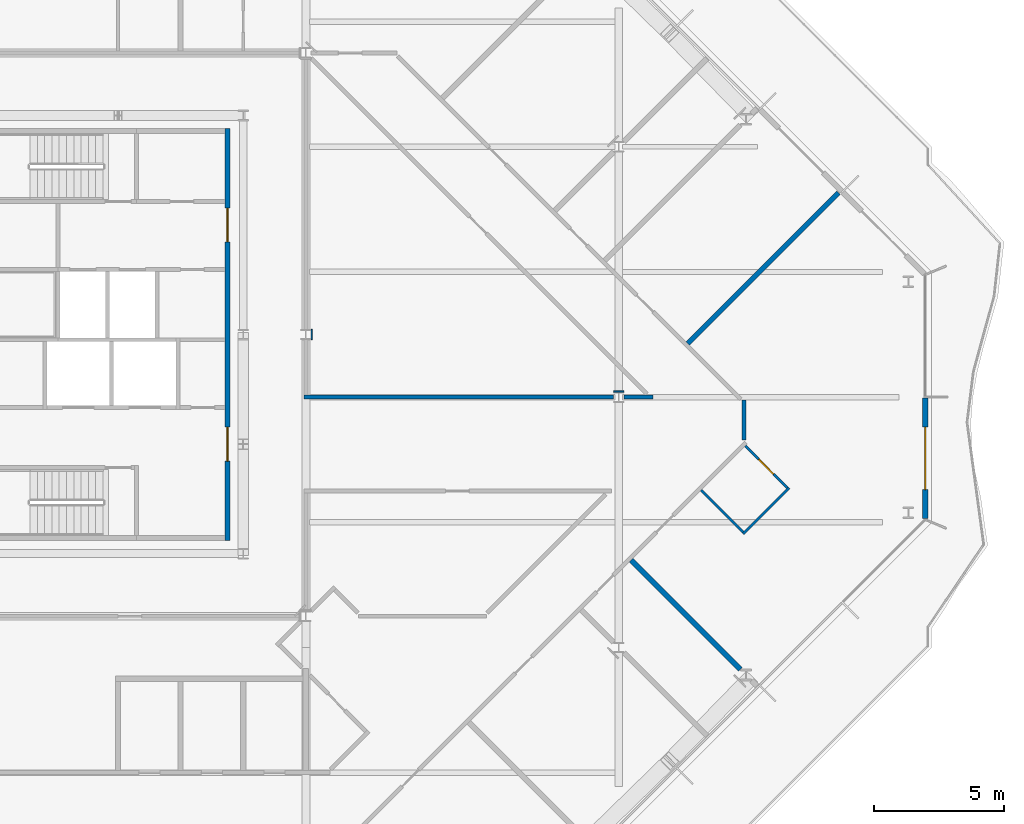
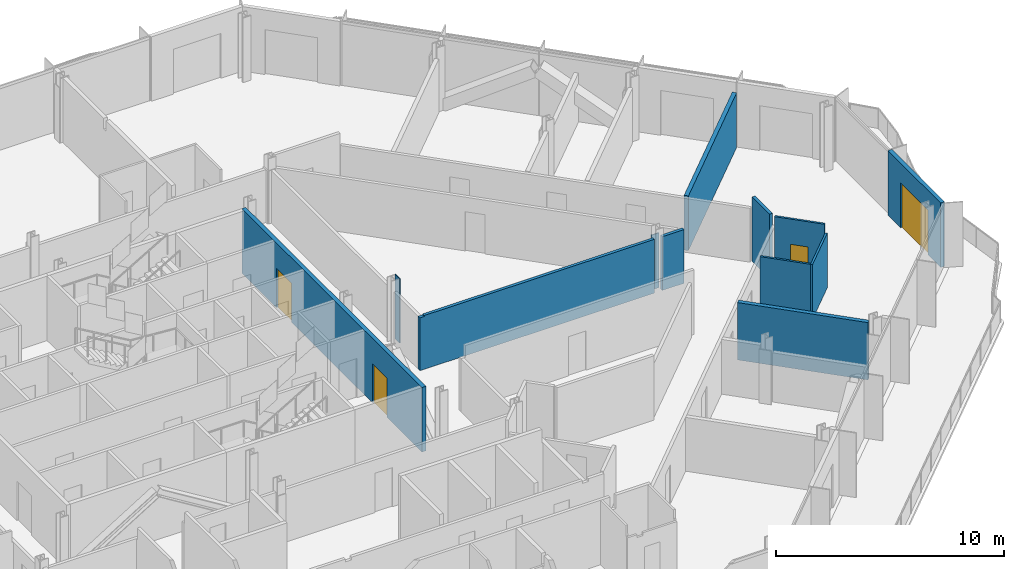
# One storey, part 10 of 17: 12 walls, 4 doors, 4 openings.
"""IFC4 building model written with IfcOpenShell, lengths in metres."""

from ifc_helpers import new_model, si_unit, direction, frame, frame_2d, origin, place, context, subcontext, project, spatial, polyline, rectangle, outline, extrude, material, layer, layer_set, type_object, element, fill, save


model = new_model("IFC4")

# Units and contexts
model_context = context("Model", 3, precision=1e-05, world=origin(), true_north=direction((0.0, 1.0)))
body_context = subcontext(model_context, "Body", "Model", "MODEL_VIEW")
ifc_project = project(units=[si_unit("LENGTHUNIT", "METRE"), si_unit("AREAUNIT", "SQUARE_METRE"), si_unit("VOLUMEUNIT", "CUBIC_METRE"), si_unit("PLANEANGLEUNIT", "RADIAN"), si_unit("MASSUNIT", "GRAM", prefix="KILO")], contexts=[model_context])

# Site, building, storey
site_placement = place(None, origin())
site = spatial("IfcSite", under=ifc_project, at=site_placement, CompositionType="ELEMENT")
building_placement = place(site_placement, origin())
building = spatial("IfcBuilding", under=site, at=building_placement, Name="Cairn Pilgrim Tower", CompositionType="ELEMENT")
storey_placement = place(building_placement, frame((0.0, 0.0, 210.60009765625)))
storey = spatial("IfcBuildingStorey", under=building, at=storey_placement, Name="L53", CompositionType="ELEMENT", Elevation=210.60009765625)

# Wall, opening, door
ifc_material_1 = material(Name="Bronze anodised aluminium insulated sandwich panel with mineral wool fill", Category="aluminium")
ifc_layer_1 = layer(ifc_material_1, 0.199951171875)
ifc_layer_set_1 = layer_set([ifc_layer_1], Name="BRONZE INFILL FRAME WALL 200")
wall_type_1 = type_object("IfcWallType", Name="BRONZE INFILL FRAME WALL 200", PredefinedType="NOTDEFINED", material=ifc_layer_set_1)
wall_1_placement = place(storey_placement, frame((42.949951171875, -4.656494140625, 0.0), z_axis=(0.0, 0.0, 1.0), x_axis=(0.0, 1.0, 0.0)))
wall_1 = element("IfcWall", 1, at=wall_1_placement, inside=storey, type_object=wall_type_1, Name="Bronze infill frame wall IW-E1", PredefinedType="NOTDEFINED", context=body_context, shape_type="SweptSolid", body=[
    extrude(rectangle(XDim=4.62646484375, YDim=0.199951171875, at=frame_2d((2.313232421875, 0.0))), origin(), (0.0, 0.0, 1.0), 3.449951171875),
])
opening_1_placement = place(wall_1_placement, frame((1.1083984375, 0.0, 0.0)))
opening_1 = element("IfcOpeningElement", 2, at=opening_1_placement, cuts=wall_1, Name="Opening 5304B", PredefinedType="OPENING", context=body_context, shape_type="SweptSolid", body=[
    extrude(rectangle(XDim=2.39990234375, YDim=2.39990234375, at=frame_2d((1.199951171875, 1.199951171875))), frame((0.0, 0.10986328125, 0.0), z_axis=(0.0, -1.0, 0.0), x_axis=(1.0, 0.0, 0.0)), (0.0, 0.0, 1.0), 0.219970703125),
])
ifc_material_2 = material(Name="Bronze anodised aluminium frame with tinted low-E glass", Category="aluminium")
door_type_1 = type_object("IfcDoorType", Name="BALCONY SLIDING DOOR 2400x2400", OperationType="DOUBLE_DOOR_SLIDING", PredefinedType="DOOR", material=ifc_material_2)
door_1_placement = place(opening_1_placement, origin())
door_1 = element("IfcDoor", 3, at=door_1_placement, inside=storey, type_object=door_type_1, Name="Balcony sliding door 5304B", OperationType="SINGLE_SWING_LEFT", OverallHeight=2.39990234375, OverallWidth=2.39990234375, PredefinedType="DOOR", context=body_context, shape_type="SweptSolid", body=[
    extrude(rectangle(XDim=2.39990234375, YDim=2.39990234375, at=frame_2d((1.199951171875, 1.199951171875))), frame((0.0, 0.02490234375, 0.0), z_axis=(0.0, -1.0, 0.0), x_axis=(1.0, 0.0, 0.0)), (0.0, 0.0, 1.0), 0.050048828125),
])
fill(opening_1, door_1)

# Wall, openings, doors
ifc_material_3 = material(Name="Concrete C32/40", Category="concrete")
ifc_layer_2 = layer(ifc_material_3, 0.199951171875)
ifc_layer_set_2 = layer_set([ifc_layer_2], Name="CORE OUTER WALL 200 EI 120")
wall_type_2 = type_object("IfcWallType", Name="CORE OUTER WALL 200 EI 120", PredefinedType="SOLIDWALL", material=ifc_layer_set_2)
wall_2_placement = place(storey_placement, frame((16.199951171875, -5.5, 0.0), z_axis=(0.0, 0.0, 1.0), x_axis=(0.0, 1.0, 0.0)))
wall_2 = element("IfcWall", 4, at=wall_2_placement, inside=storey, type_object=wall_type_2, Name="CW:L53:V31", PredefinedType="SOLIDWALL", context=body_context, shape_type="SweptSolid", body=[
    extrude(rectangle(XDim=15.800048828125, YDim=0.199951171875, at=frame_2d((7.89990234375, 0.0))), origin(), (0.0, 0.0, 1.0), 3.449951171875),
])
opening_2_placement = place(wall_2_placement, frame((3.050048828125, 0.0, 0.0)))
opening_2 = element("IfcOpeningElement", 5, at=opening_2_placement, cuts=wall_2, Name="Opening CD-E1", PredefinedType="OPENING", context=body_context, shape_type="SweptSolid", body=[
    extrude(rectangle(XDim=1.300048828125, YDim=2.10009765625, at=frame_2d((0.64990234375, 1.050048828125))), frame((0.0, 0.10986328125, 0.0), z_axis=(0.0, -1.0, 0.0), x_axis=(1.0, 0.0, 0.0)), (0.0, 0.0, 1.0), 0.219970703125),
])
opening_3_placement = place(wall_2_placement, frame((11.449951171875, 0.0, 0.0)))
opening_3 = element("IfcOpeningElement", 6, at=opening_3_placement, cuts=wall_2, Name="Opening CD-E2", PredefinedType="OPENING", context=body_context, shape_type="SweptSolid", body=[
    extrude(rectangle(XDim=1.300048828125, YDim=2.10009765625, at=frame_2d((0.64990234375, 1.050048828125))), frame((0.0, 0.10986328125, 0.0), z_axis=(0.0, -1.0, 0.0), x_axis=(1.0, 0.0, 0.0)), (0.0, 0.0, 1.0), 0.219970703125),
])
ifc_material_4 = material(Name="Painted steel", Category="steel")
door_type_2 = type_object("IfcDoorType", Name="CORE LOBBY DOOR 1300x2100", OperationType="DOUBLE_DOOR_SINGLE_SWING", PredefinedType="DOOR", material=ifc_material_4)
door_2_placement = place(opening_2_placement, origin())
door_2 = element("IfcDoor", 7, at=door_2_placement, inside=storey, type_object=door_type_2, Name="CD-E1", OperationType="DOUBLE_DOOR_SINGLE_SWING", OverallHeight=2.10009765625, OverallWidth=1.300048828125, PredefinedType="DOOR", context=body_context, shape_type="SweptSolid", body=[
    extrude(rectangle(XDim=1.300048828125, YDim=2.10009765625, at=frame_2d((0.64990234375, 1.050048828125))), frame((0.0, 0.02490234375, 0.0), z_axis=(0.0, -1.0, 0.0), x_axis=(1.0, 0.0, 0.0)), (0.0, 0.0, 1.0), 0.050048828125),
])
fill(opening_2, door_2)
door_3_placement = place(opening_3_placement, origin())
door_3 = element("IfcDoor", 8, at=door_3_placement, inside=storey, type_object=door_type_2, Name="CD-E2", OperationType="DOUBLE_DOOR_SINGLE_SWING", OverallHeight=2.10009765625, OverallWidth=1.300048828125, PredefinedType="DOOR", context=body_context, shape_type="SweptSolid", body=[
    extrude(rectangle(XDim=1.300048828125, YDim=2.10009765625, at=frame_2d((0.64990234375, 1.050048828125))), frame((0.0, 0.02490234375, 0.0), z_axis=(0.0, -1.0, 0.0), x_axis=(1.0, 0.0, 0.0)), (0.0, 0.0, 1.0), 0.050048828125),
])
fill(opening_3, door_3)

# Walls
ifc_material_5 = material(Name="Gypsum partition")
ifc_layer_3 = layer(ifc_material_5, 0.10009765625)
ifc_layer_set_3 = layer_set([ifc_layer_3], Name="PARTITION 100 DRYWALL")
wall_type_3 = type_object("IfcWallType", Name="PARTITION 100 DRYWALL", PredefinedType="PARTITIONING", material=ifc_layer_set_3)
wall_3_placement = place(storey_placement, frame((35.964599609375, -5.176513671875, 0.0), z_axis=(0.0, 0.0, 1.0), x_axis=(-0.707160441348, 0.707053116953, 0.0)))
element("IfcWall", 9, at=wall_3_placement, inside=storey, type_object=wall_type_3, Name="PARTITION W046", PredefinedType="PARTITIONING", context=body_context, shape_type="SweptSolid", body=[
    extrude(rectangle(XDim=2.27490234375, YDim=0.10009765625, at=frame_2d((1.137451171875, 0.0))), origin(), (0.0, 0.0, 1.0), 2.929931640625),
])
wall_4_placement = place(storey_placement, frame((35.964599609375, -5.247314453125, 0.0), z_axis=(0.0, 0.0, 1.0), x_axis=(0.707155609469, 0.707057949532, 0.0)))
element("IfcWall", 10, at=wall_4_placement, inside=storey, type_object=wall_type_3, Name="PARTITION W047", PredefinedType="PARTITIONING", context=body_context, shape_type="SweptSolid", body=[
    extrude(rectangle(XDim=2.5, YDim=0.10009765625, at=frame_2d((1.25, 0.0))), origin(), (0.0, 0.0, 1.0), 2.929931640625),
])

# Wall, opening, door
wall_5_placement = place(storey_placement, frame((37.66162109375, -3.4794921875, 0.0), z_axis=(0.0, 0.0, 1.0), x_axis=(-0.707160441348, 0.707053116953, 0.0)))
wall_5 = element("IfcWall", 11, at=wall_5_placement, inside=storey, type_object=wall_type_3, Name="PARTITION W050", PredefinedType="PARTITIONING", context=body_context, shape_type="SweptSolid", body=[
    extrude(rectangle(XDim=2.27490234375, YDim=0.10009765625, at=frame_2d((1.137451171875, 0.0))), origin(), (0.0, 0.0, 1.0), 3.449951171875),
])
opening_4_placement = place(wall_5_placement, frame((0.75, 0.0, 0.0)))
opening_4 = element("IfcOpeningElement", 12, at=opening_4_placement, cuts=wall_5, Name="Opening 5304A", PredefinedType="OPENING", context=body_context, shape_type="SweptSolid", body=[
    extrude(rectangle(XDim=0.800048828125, YDim=2.10009765625, at=frame_2d((0.39990234375, 1.050048828125))), frame((0.0, 0.06005859375, 0.0), z_axis=(0.0, -1.0, 0.0), x_axis=(1.0, 0.0, 0.0)), (0.0, 0.0, 1.0), 0.1201171875),
])
ifc_material_6 = material(Name="Timber door leaf", Category="wood")
door_type_3 = type_object("IfcDoorType", Name="WC DOOR 800x2100", OperationType="NOTDEFINED", PredefinedType="DOOR", material=ifc_material_6)
door_4_placement = place(opening_4_placement, frame((0.800048828125, 0.0, 0.0), z_axis=(0.0, 0.0, 1.0), x_axis=(-1.0, 0.0, 0.0)))
door_4 = element("IfcDoor", 13, at=door_4_placement, inside=storey, type_object=door_type_3, Name="DOOR 5304A", OperationType="SINGLE_SWING_LEFT", OverallHeight=2.10009765625, OverallWidth=0.800048828125, PredefinedType="DOOR", context=body_context, shape_type="SweptSolid", body=[
    extrude(rectangle(XDim=0.800048828125, YDim=2.10009765625, at=frame_2d((0.39990234375, 1.050048828125))), frame((0.0, 0.02490234375, 0.0), z_axis=(0.0, -1.0, 0.0), x_axis=(1.0, 0.0, 0.0)), (0.0, 0.0, 1.0), 0.050048828125),
])
fill(opening_4, door_4)

# Walls
ifc_layer_4 = layer(ifc_material_5, 0.14990234375)
ifc_layer_set_4 = layer_set([ifc_layer_4], Name="PARTITION 150 DRYWALL EI 60")
wall_type_4 = type_object("IfcWallType", Name="PARTITION 150 DRYWALL EI 60", PredefinedType="PARTITIONING", material=ifc_layer_set_4)
wall_6_placement = place(storey_placement, frame((36.0, -1.636962890625, 0.0), z_axis=(0.0, 0.0, 1.0), x_axis=(0.0, 1.0, 0.0)))
element("IfcWall", 14, at=wall_6_placement, inside=storey, type_object=wall_type_4, Name="PARTITION W051", PredefinedType="PARTITIONING", context=body_context, shape_type="SweptSolid", body=[
    extrude(outline(polyline([(0.0, 0.0), (1.537109375, 0.0), (1.537109375, 2.8798828125), (1.531982421875, 2.8798828125), (1.52978515625, 3.449951171875), (0.0, 3.449951171875), (0.0, 0.0)])), frame((0.0, 0.074951171875, 0.0), z_axis=(0.0, -1.0, 0.0), x_axis=(1.0, 0.0, 0.0)), (0.0, 0.0, 1.0), 0.14990234375),
])
wall_7_placement = place(storey_placement, frame((19.125, 0.0, 0.0), z_axis=(0.0, 0.0, 1.0), x_axis=(1.0, 0.0, 0.0)))
element("IfcWall", 15, at=wall_7_placement, inside=storey, type_object=wall_type_4, Name="PARTITION W053", PredefinedType="PARTITIONING", context=body_context, shape_type="SweptSolid", body=[
    extrude(outline(polyline([(0.0, 0.0), (11.87548828125, 0.0), (11.87548828125, 2.8798828125), (0.22509765625, 2.8798828125), (0.222900390625, 2.829833984375), (0.0, 2.829833984375), (0.0, 0.0)])), frame((0.0, 0.074951171875, 0.0), z_axis=(0.0, -1.0, 0.0), x_axis=(1.0, 0.0, 0.0)), (0.0, 0.0, 1.0), 0.14990234375),
])
wall_8_placement = place(storey_placement, frame((31.3994140625, 0.0, 0.0), z_axis=(0.0, 0.0, 1.0), x_axis=(1.0, 0.0, 0.0)))
element("IfcWall", 16, at=wall_8_placement, inside=storey, type_object=wall_type_4, Name="PARTITION W054", PredefinedType="PARTITIONING", context=body_context, shape_type="SweptSolid", body=[
    extrude(rectangle(XDim=1.106689453125, YDim=0.14990234375, at=frame_2d((0.55322265625, 0.0))), origin(), (0.0, 0.0, 1.0), 2.8798828125),
])
ifc_layer_5 = layer(ifc_material_5, 0.050048828125)
ifc_layer_set_5 = layer_set([ifc_layer_5], Name="PARTITION 50 DRYWALL EI 60")
wall_type_5 = type_object("IfcWallType", Name="PARTITION 50 DRYWALL EI 60", PredefinedType="PARTITIONING", material=ifc_layer_set_5)
wall_9_placement = place(storey_placement, frame((31.00048828125, 0.221435546875, 0.0), z_axis=(0.0, 0.0, 1.0), x_axis=(1.0, 0.0, 0.0)))
element("IfcWall", 17, at=wall_9_placement, inside=storey, type_object=wall_type_5, Name="COLUMN CASING WC14", PredefinedType="PARTITIONING", context=body_context, shape_type="SweptSolid", body=[
    extrude(rectangle(XDim=0.39892578125, YDim=0.050048828125, at=frame_2d((0.199462890625, 0.0))), origin(), (0.0, 0.0, 1.0), 2.929931640625),
])
wall_10_placement = place(storey_placement, frame((19.424560546875, 2.20361328125, 0.0), z_axis=(0.0, 0.0, 1.0), x_axis=(0.0, 1.0, 0.0)))
element("IfcWall", 18, at=wall_10_placement, inside=storey, type_object=wall_type_5, Name="COLUMN CASING WC15", PredefinedType="PARTITIONING", context=body_context, shape_type="SweptSolid", body=[
    extrude(rectangle(XDim=0.392822265625, YDim=0.050048828125, at=frame_2d((0.1962890625, 0.0))), origin(), (0.0, 0.0, 1.0), 3.449951171875),
])
ifc_layer_6 = layer(ifc_material_5, 0.199951171875)
ifc_layer_set_6 = layer_set([ifc_layer_6], Name="SHAFT WALL 200 GYPSUM EI 60")
wall_type_6 = type_object("IfcWallType", Name="SHAFT WALL 200 GYPSUM EI 60", PredefinedType="PARTITIONING", material=ifc_layer_set_6)
wall_11_placement = place(storey_placement, frame((35.860107421875, -10.43603515625, 0.0), z_axis=(0.0, 0.0, 1.0), x_axis=(-0.707106781187, 0.707106781187, 0.0)))
element("IfcWall", 19, at=wall_11_placement, inside=storey, type_object=wall_type_6, Name="PARTITION W032", PredefinedType="PARTITIONING", context=body_context, shape_type="SweptSolid", body=[
    extrude(rectangle(XDim=5.919921875, YDim=0.199951171875, at=frame_2d((2.9599609375, 0.0))), origin(), (0.0, 0.0, 1.0), 3.06982421875),
])
wall_12_placement = place(storey_placement, frame((33.843017578125, 2.056884765625, 0.0), z_axis=(0.0, 0.0, 1.0), x_axis=(0.70709185088, 0.707121711178, 0.0)))
element("IfcWall", 20, at=wall_12_placement, inside=storey, type_object=wall_type_6, Name="PARTITION W057", PredefinedType="PARTITIONING", context=body_context, shape_type="SweptSolid", body=[
    extrude(rectangle(XDim=8.176025390625, YDim=0.199951171875, at=frame_2d((4.087890625, 0.0))), origin(), (0.0, 0.0, 1.0), 2.929931640625),
])

save(model, "model.ifc")
